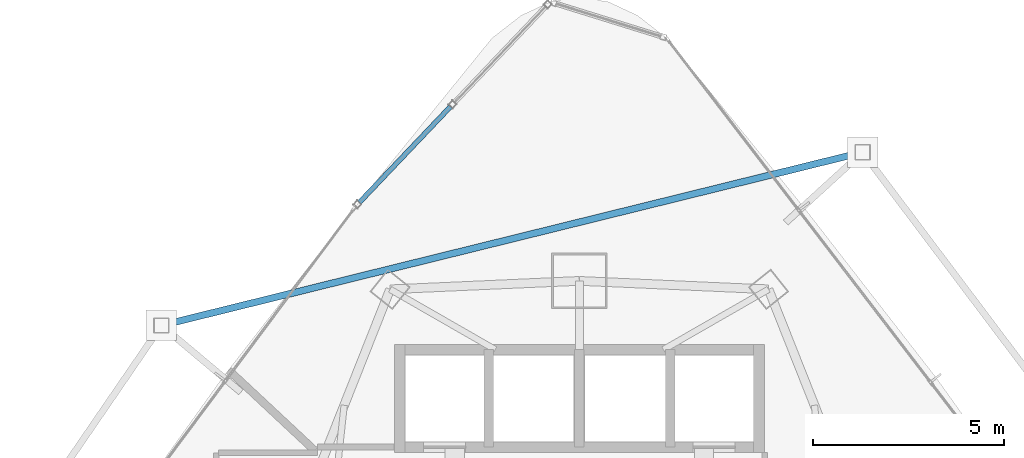
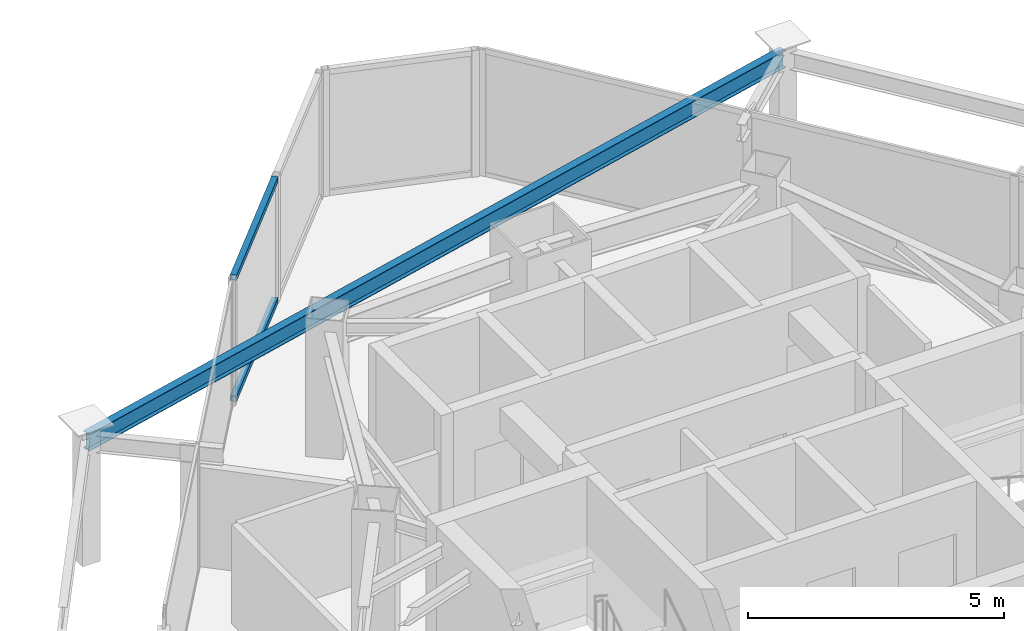
# One storey, part 21 of 30: 2 members, 1 beam, 1 element without a shape of its own.
"""IFC4 building model written with IfcOpenShell, lengths in metres."""

from ifc_helpers import new_model, si_unit, direction, frame, origin, origin_2d, place, context, subcontext, project, spatial, hollow_rectangle, i_section, extrude, material, layer, layer_set, material_profile, profile_set, type_object, element, aggregate, save


model = new_model("IFC4")

# Units and contexts
model_context = context("Model", 3, precision=1e-05, world=origin(), true_north=direction((0.0, 1.0)))
body_context = subcontext(model_context, "Body", "Model", "MODEL_VIEW")
ifc_project = project(units=[si_unit("LENGTHUNIT", "METRE"), si_unit("AREAUNIT", "SQUARE_METRE"), si_unit("VOLUMEUNIT", "CUBIC_METRE"), si_unit("PLANEANGLEUNIT", "RADIAN"), si_unit("MASSUNIT", "GRAM", prefix="KILO")], contexts=[model_context])

# Site, building, storey
site_placement = place(None, origin())
site = spatial("IfcSite", under=ifc_project, at=site_placement, CompositionType="ELEMENT")
building_placement = place(site_placement, origin())
building = spatial("IfcBuilding", under=site, at=building_placement, Name="Orvanel Arch Residences", CompositionType="ELEMENT")
storey_placement = place(building_placement, frame((0.0, 0.0, 143.0)))
storey = spatial("IfcBuildingStorey", under=building, at=storey_placement, Name="L40", CompositionType="ELEMENT", Elevation=143.0)

# Beam
ifc_material_1 = material(Name="Structural steel AS/NZS 3679.1 Grade 300 (300 MPa)", Category="steel")
ifc_material_profile_1 = material_profile(ifc_material_1, i_section(OverallWidth=0.177978515625, OverallDepth=0.406005859375, WebThickness=0.0078125, FlangeThickness=0.0126953125, at=origin_2d()), Name="410UB59.7")
ifc_profile_set_1 = profile_set([ifc_material_profile_1], Name="Structural steel AS/NZS 3679.1 Grade 300 (300 MPa)")
beam_type = type_object("IfcBeamType", Name="OB-410UB-EXT", PredefinedType="SPANDREL", material=ifc_profile_set_1)
beam_placement = place(storey_placement, frame((40.410888671875, 44.762939453125, 2.81689453125), z_axis=(-0.970835461399, -0.239746755743, 0.0), x_axis=(0.239746755743, -0.970835461399, 0.0)))
element("IfcBeam", 1, at=beam_placement, inside=storey, type_object=beam_type, Name="L40 Outer Perimeter Floor Ring Beam 12", PredefinedType="SPANDREL", context=body_context, shape_type="SweptSolid", body=[
    extrude(i_section(OverallWidth=0.177978515625, OverallDepth=0.406005859375, WebThickness=0.0078125, FlangeThickness=0.0126953125, at=origin_2d()), origin(), (0.0, 0.0, 1.0), 18.89501953125),
])

# Curtain wall, members
ifc_material_2 = material(Name="Bronze-anodised aluminium AA6063-T6", Category="aluminium")
ifc_layer = layer(ifc_material_2, 0.18994140625)
ifc_layer_set = layer_set([ifc_layer], Name="Bronze-anodised aluminium AA6063-T6")
curtain_wall_type = type_object("IfcCurtainWallType", Name="CW5-CRN-SYS", PredefinedType="NOTDEFINED", material=ifc_layer_set)
curtain_wall_placement = place(storey_placement, origin())
curtain_wall = element("IfcCurtainWall", 2, at=curtain_wall_placement, inside=storey, type_object=curtain_wall_type, Name="L40 CW5-CRN-SYS Unitised Curtain Wall", PredefinedType="NOTDEFINED")
ifc_material_profile_2 = material_profile(ifc_material_2, hollow_rectangle(XDim=0.1298828125, YDim=0.1298828125, WallThickness=0.00439453125, at=origin_2d()), Name="ALU130x130x4.5")
ifc_profile_set_2 = profile_set([ifc_material_profile_2], Name="Bronze-anodised aluminium AA6063-T6")
member_type = type_object("IfcMemberType", Name="TRN-130x130", PredefinedType="USERDEFINED", material=ifc_profile_set_2)
member_1_placement = place(storey_placement, frame((29.6318359375, 45.958740234375, 0.06494140625), z_axis=(-0.689181252122, -0.724588988133, 0.0), x_axis=(0.724588988133, -0.689181252122, 0.0)))
member_1 = element("IfcMember", 3, at=member_1_placement, type_object=member_type, Name="CW-S5 transom 2.1", ObjectType="TRANSOM", PredefinedType="USERDEFINED", context=body_context, shape_type="SweptSolid", body=[
    extrude(hollow_rectangle(XDim=0.1298828125, YDim=0.1298828125, WallThickness=0.00439453125, at=origin_2d()), origin(), (0.0, 0.0, 1.0), 3.46142578125),
])
member_2_placement = place(storey_placement, frame((29.6318359375, 45.958740234375, 2.955078125), z_axis=(-0.689181252122, -0.724588988133, 0.0), x_axis=(0.724588988133, -0.689181252122, 0.0)))
member_2 = element("IfcMember", 4, at=member_2_placement, type_object=member_type, Name="CW-S5 transom 2.2", ObjectType="TRANSOM", PredefinedType="USERDEFINED", context=body_context, shape_type="SweptSolid", body=[
    extrude(hollow_rectangle(XDim=0.1298828125, YDim=0.1298828125, WallThickness=0.00439453125, at=origin_2d()), origin(), (0.0, 0.0, 1.0), 3.46142578125),
])
aggregate(curtain_wall, [member_1, member_2])

save(model, "model.ifc")
